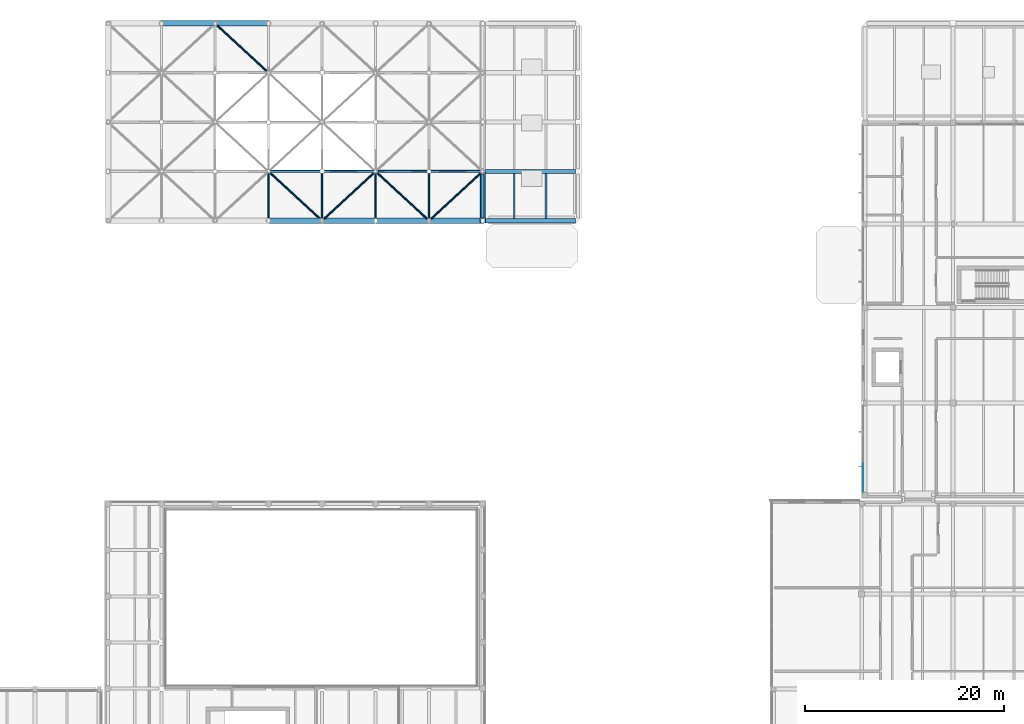
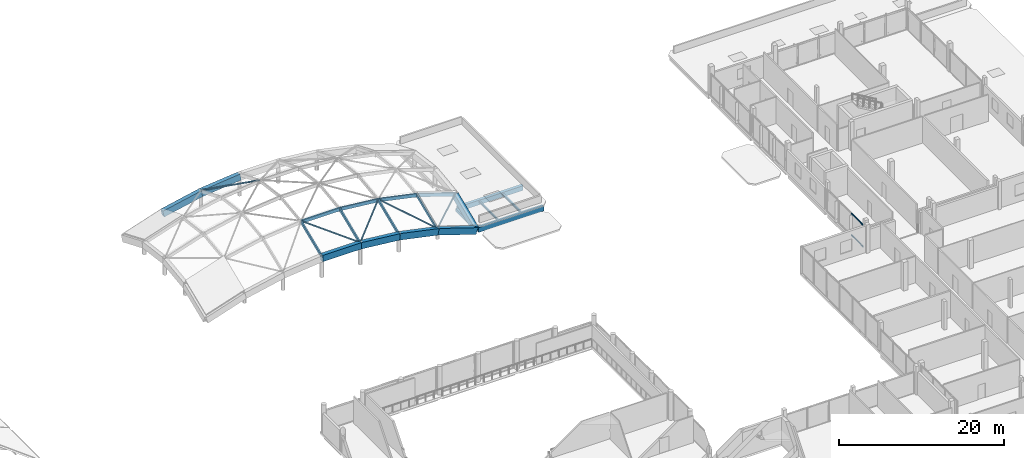
# One storey, part 20 of 66: 15 members, 12 beams, 1 element without a shape of its own.
"""IFC4 building model written with IfcOpenShell, lengths in metres."""

from ifc_helpers import new_model, si_unit, direction, frame, origin, origin_2d, place, context, subcontext, project, spatial, rectangle, hollow_circle, i_section, extrude, material, layer, layer_set, material_profile, profile_set, type_object, element, aggregate, save


model = new_model("IFC4")

# Units and contexts
model_context = context("Model", 3, precision=1e-05, world=origin(), true_north=direction((0.0, 1.0)))
body_context = subcontext(model_context, "Body", "Model", "MODEL_VIEW")
ifc_project = project(units=[si_unit("LENGTHUNIT", "METRE"), si_unit("AREAUNIT", "SQUARE_METRE"), si_unit("VOLUMEUNIT", "CUBIC_METRE"), si_unit("PLANEANGLEUNIT", "RADIAN"), si_unit("MASSUNIT", "GRAM", prefix="KILO")], contexts=[model_context])

# Site, building, storey
site_placement = place(None, origin())
site = spatial("IfcSite", under=ifc_project, at=site_placement, CompositionType="ELEMENT")
building_placement = place(site_placement, origin())
building = spatial("IfcBuilding", under=site, at=building_placement, Name="Birchvale Park Specialist Clinic", CompositionType="ELEMENT")
storey_placement = place(building_placement, frame((0.0, 0.0, 5.39990234375)))
storey = spatial("IfcBuildingStorey", under=building, at=storey_placement, Name="L01", CompositionType="ELEMENT", Elevation=5.39990234375)

# Beams
ifc_material_1 = material(Name="Concrete C40/50", Category="concrete")
ifc_material_profile_1 = material_profile(ifc_material_1, rectangle(XDim=0.419921875, YDim=0.719970703125, at=origin_2d()), Name="RCB-420x720")
ifc_profile_set_1 = profile_set([ifc_material_profile_1], Name="Concrete C40/50")
beam_type_1 = type_object("IfcBeamType", Name="BM-EXT-BG3", PredefinedType="BEAM", material=ifc_profile_set_1)
beam_1_placement = place(storey_placement, frame((90.110107421875, 91.550048828125, -0.635009765625), z_axis=(1.0, 0.0, 0.0), x_axis=(0.0, 1.0, 0.0)))
element("IfcBeam", 1, at=beam_1_placement, inside=storey, type_object=beam_type_1, Name="V3 L01 X girder 1", PredefinedType="BEAM", context=body_context, shape_type="SweptSolid", body=[
    extrude(rectangle(XDim=0.419921875, YDim=0.719970703125, at=origin_2d()), origin(), (0.0, 0.0, 1.0), 9.079833984375),
])
ifc_material_profile_2 = material_profile(ifc_material_1, rectangle(XDim=0.280029296875, YDim=0.43994140625, at=origin_2d()), Name="RCB-280x440")
ifc_profile_set_2 = profile_set([ifc_material_profile_2], Name="Concrete C40/50")
beam_type_2 = type_object("IfcBeamType", Name="BM-EXT-BG9", PredefinedType="BEAM", material=ifc_profile_set_2)
beam_2_placement = place(storey_placement, frame((89.85009765625, 91.81005859375, -0.494873046875), z_axis=(0.0, 1.0, 0.0), x_axis=(-1.0, 0.0, 0.0)))
element("IfcBeam", 2, at=beam_2_placement, inside=storey, type_object=beam_type_2, Name="V3 L01 Y girder 6", PredefinedType="BEAM", context=body_context, shape_type="SweptSolid", body=[
    extrude(rectangle(XDim=0.280029296875, YDim=0.43994140625, at=origin_2d()), origin(), (0.0, 0.0, 1.0), 4.427490234375),
])
ifc_material_profile_3 = material_profile(ifc_material_1, rectangle(XDim=0.550048828125, YDim=0.93994140625, at=origin_2d()), Name="RCB-550x940")
ifc_profile_set_3 = profile_set([ifc_material_profile_3], Name="Concrete C40/50")
beam_type_3 = type_object("IfcBeamType", Name="BM-EXT-RB1", PredefinedType="BEAM", material=ifc_profile_set_3)
beam_3_placement = place(storey_placement, frame((68.30712890625, 91.550048828125, 2.817138671875), z_axis=(1.0, 0.0, 0.0), x_axis=(0.0, 1.0, 0.0)))
element("IfcBeam", 3, at=beam_3_placement, inside=storey, type_object=beam_type_3, Name="V3 gridshell perimeter ring beam 4", PredefinedType="BEAM", context=body_context, shape_type="SweptSolid", body=[
    extrude(rectangle(XDim=0.550048828125, YDim=0.93994140625, at=origin_2d()), origin(), (0.0, 0.0, 1.0), 5.3857421875),
])
beam_4_placement = place(storey_placement, frame((73.69287109375, 91.550048828125, 2.817138671875), z_axis=(0.994608725176, 0.0, -0.103699005798), x_axis=(0.0, 1.0, 0.0)))
element("IfcBeam", 4, at=beam_4_placement, inside=storey, type_object=beam_type_3, Name="V3 gridshell perimeter ring beam 5", PredefinedType="BEAM", context=body_context, shape_type="SweptSolid", body=[
    extrude(rectangle(XDim=0.550048828125, YDim=0.93994140625, at=origin_2d()), origin(), (0.0, 0.0, 1.0), 5.4150390625),
])
beam_5_placement = place(storey_placement, frame((79.07861328125, 91.550048828125, 2.255615234375), z_axis=(0.978246670793, 0.0, -0.207445055574), x_axis=(0.0, 1.0, 0.0)))
element("IfcBeam", 5, at=beam_5_placement, inside=storey, type_object=beam_type_3, Name="V3 gridshell perimeter ring beam 6", PredefinedType="BEAM", context=body_context, shape_type="SweptSolid", body=[
    extrude(rectangle(XDim=0.550048828125, YDim=0.93994140625, at=origin_2d()), origin(), (0.0, 0.0, 1.0), 5.505615234375),
])
beam_6_placement = place(storey_placement, frame((84.46435546875, 91.550048828125, 1.113525390625), z_axis=(0.950354284012, 0.0, -0.311169945304), x_axis=(0.0, 1.0, 0.0)))
element("IfcBeam", 6, at=beam_6_placement, inside=storey, type_object=beam_type_3, Name="V3 gridshell perimeter ring beam 7", PredefinedType="BEAM", context=body_context, shape_type="SweptSolid", body=[
    extrude(rectangle(XDim=0.550048828125, YDim=0.93994140625, at=origin_2d()), origin(), (0.0, 0.0, 1.0), 5.6669921875),
])
beam_7_placement = place(storey_placement, frame((57.53564453125, 111.39990234375, 1.113525390625), z_axis=(0.978246670793, 0.0, 0.207445055574), x_axis=(0.0, 1.0, 0.0)))
element("IfcBeam", 7, at=beam_7_placement, inside=storey, type_object=beam_type_3, Name="V3 gridshell perimeter ring beam 9", PredefinedType="BEAM", context=body_context, shape_type="SweptSolid", body=[
    extrude(rectangle(XDim=0.550048828125, YDim=0.93994140625, at=origin_2d()), origin(), (0.0, 0.0, 1.0), 5.505615234375),
])
beam_8_placement = place(storey_placement, frame((62.92138671875, 111.39990234375, 2.255615234375), z_axis=(0.994608725176, 0.0, 0.103699005798), x_axis=(0.0, 1.0, 0.0)))
element("IfcBeam", 8, at=beam_8_placement, inside=storey, type_object=beam_type_3, Name="V3 gridshell perimeter ring beam 10", PredefinedType="BEAM", context=body_context, shape_type="SweptSolid", body=[
    extrude(rectangle(XDim=0.550048828125, YDim=0.93994140625, at=origin_2d()), origin(), (0.0, 0.0, 1.0), 5.4150390625),
])
beam_9_placement = place(storey_placement, frame((89.85009765625, 91.550048828125, -0.64990234375), z_axis=(0.0, 0.922821506922, 0.385227810993), x_axis=(-1.0, 0.0, 0.0)))
element("IfcBeam", 9, at=beam_9_placement, inside=storey, type_object=beam_type_3, Name="V3 gridshell perimeter ring beam 19", PredefinedType="BEAM", context=body_context, shape_type="SweptSolid", body=[
    extrude(rectangle(XDim=0.550048828125, YDim=0.93994140625, at=origin_2d()), origin(), (0.0, 0.0, 1.0), 5.37744140625),
])
ifc_material_profile_4 = material_profile(ifc_material_1, rectangle(XDim=0.419921875, YDim=0.679931640625, at=origin_2d()), Name="RCB-420x680")
ifc_profile_set_4 = profile_set([ifc_material_profile_4], Name="Concrete C40/50")
beam_type_4 = type_object("IfcBeamType", Name="BM-INT-BG3", PredefinedType="BEAM", material=ifc_profile_set_4)
beam_10_placement = place(storey_placement, frame((90.125, 96.512451171875, -0.614990234375), z_axis=(1.0, 0.0, 0.0), x_axis=(0.0, 1.0, 0.0)))
element("IfcBeam", 10, at=beam_10_placement, inside=storey, type_object=beam_type_4, Name="V3 L01 X girder 2", PredefinedType="BEAM", context=body_context, shape_type="SweptSolid", body=[
    extrude(rectangle(XDim=0.419921875, YDim=0.679931640625, at=origin_2d()), origin(), (0.0, 0.0, 1.0), 9.06494140625),
])

# Curtain wall, members
ifc_material_2 = material(Name="Thermally broken anodised aluminium", Category="aluminium")
ifc_layer = layer(ifc_material_2, 0.2099609375)
ifc_layer_set = layer_set([ifc_layer], Name="Thermally broken anodised aluminium")
curtain_wall_type = type_object("IfcCurtainWallType", Name="CW-U3", PredefinedType="USERDEFINED", material=ifc_layer_set)
curtain_wall_placement = place(storey_placement, origin())
curtain_wall = element("IfcCurtainWall", 11, at=curtain_wall_placement, inside=storey, type_object=curtain_wall_type, Name="V6 L01 glazed curtain wall 102", ObjectType="UNITISED", PredefinedType="USERDEFINED")
ifc_material_profile_5 = material_profile(ifc_material_2, rectangle(XDim=0.070068359375, YDim=0.14990234375, at=origin_2d()), Name="CWT-70x150")
ifc_profile_set_5 = profile_set([ifc_material_profile_5], Name="Thermally broken anodised aluminium")
member_type_1 = type_object("IfcMemberType", Name="CWT3", PredefinedType="USERDEFINED", material=ifc_profile_set_5)
member_1_placement = place(storey_placement, frame((128.14501953125, 67.07177734375, 0.03515625), z_axis=(0.0, -1.0, 0.0), x_axis=(1.0, 0.0, 0.0)))
member_1 = element("IfcMember", 12, at=member_1_placement, type_object=member_type_1, Name="CW transom 3.1", ObjectType="TRANSOM", PredefinedType="USERDEFINED", context=body_context, shape_type="SweptSolid", body=[
    extrude(rectangle(XDim=0.070068359375, YDim=0.14990234375, at=origin_2d()), origin(), (0.0, 0.0, 1.0), 2.811767578125),
])
member_2_placement = place(storey_placement, frame((128.14501953125, 67.07177734375, 3.210205078125), z_axis=(0.0, -1.0, 0.0), x_axis=(1.0, 0.0, 0.0)))
member_2 = element("IfcMember", 13, at=member_2_placement, type_object=member_type_1, Name="CW transom 3.2", ObjectType="TRANSOM", PredefinedType="USERDEFINED", context=body_context, shape_type="SweptSolid", body=[
    extrude(rectangle(XDim=0.070068359375, YDim=0.14990234375, at=origin_2d()), origin(), (0.0, 0.0, 1.0), 2.811767578125),
])
aggregate(curtain_wall, [member_1, member_2])

# Members
ifc_material_3 = material(Name="Steel EN 10210 S355", Category="steel")
ifc_material_profile_6 = material_profile(ifc_material_3, hollow_circle(Radius=0.109619140625, WallThickness=0.010009765625, at=origin_2d()), Name="CHS219.1X10")
ifc_profile_set_6 = profile_set([ifc_material_profile_6], Name="Steel EN 10210 S355")
member_type_2 = type_object("IfcMemberType", Name="MEM-BR2", PredefinedType="BRACE", material=ifc_profile_set_6)
member_3_placement = place(storey_placement, frame((68.27587890625, 106.46630859375, 5.203857421875), z_axis=(-0.692050702085, 0.637651486154, -0.338328845871), x_axis=(-0.677611637339, -0.735419926941, 0.0)))
element("IfcMember", 14, at=member_3_placement, inside=storey, type_object=member_type_2, Name="V3 gridshell tubular steel diagonal 12", PredefinedType="BRACE", context=body_context, shape_type="SweptSolid", body=[
    extrude(hollow_circle(Radius=0.109619140625, WallThickness=0.010009765625, at=origin_2d()), origin(), (0.0, 0.0, 1.0), 7.6923828125),
])
member_4_placement = place(storey_placement, frame((73.6611328125, 91.579345703125, 3.159912109375), z_axis=(-0.707665830783, 0.652026416381, 0.272159189233), x_axis=(-0.67760446633, -0.735426534203, 0.0)))
element("IfcMember", 15, at=member_4_placement, inside=storey, type_object=member_type_2, Name="V3 gridshell tubular steel diagonal 13", PredefinedType="BRACE", context=body_context, shape_type="SweptSolid", body=[
    extrude(hollow_circle(Radius=0.109619140625, WallThickness=0.010009765625, at=origin_2d()), origin(), (0.0, 0.0, 1.0), 7.52099609375),
])
member_5_placement = place(storey_placement, frame((73.725341796875, 91.579833984375, 3.15673828125), z_axis=(0.720252383903, 0.663673872329, 0.201924477638), x_axis=(-0.677632356717, 0.735400835688, 0.0)))
element("IfcMember", 16, at=member_5_placement, inside=storey, type_object=member_type_2, Name="V3 gridshell tubular steel diagonal 17", PredefinedType="BRACE", context=body_context, shape_type="SweptSolid", body=[
    extrude(hollow_circle(Radius=0.109619140625, WallThickness=0.010009765625, at=origin_2d()), origin(), (0.0, 0.0, 1.0), 7.387451171875),
])
member_6_placement = place(storey_placement, frame((84.43408203125, 91.577880859375, 1.462158203125), z_axis=(-0.673435360148, 0.620516406944, 0.401801200118), x_axis=(-0.677621670904, -0.735410681947, 0.0)))
element("IfcMember", 17, at=member_6_placement, inside=storey, type_object=member_type_2, Name="V3 gridshell tubular steel diagonal 21", PredefinedType="BRACE", context=body_context, shape_type="SweptSolid", body=[
    extrude(hollow_circle(Radius=0.109619140625, WallThickness=0.010009765625, at=origin_2d()), origin(), (0.0, 0.0, 1.0), 7.907470703125),
])
member_7_placement = place(storey_placement, frame((84.497314453125, 91.58056640625, 1.44580078125), z_axis=(0.734774775322, 0.677008508392, 0.042017961818), x_axis=(-0.677606933249, 0.735424261235, 0.0)))
element("IfcMember", 18, at=member_7_placement, inside=storey, type_object=member_type_2, Name="V3 gridshell tubular steel diagonal 25", PredefinedType="BRACE", context=body_context, shape_type="SweptSolid", body=[
    extrude(hollow_circle(Radius=0.109619140625, WallThickness=0.010009765625, at=origin_2d()), origin(), (0.0, 0.0, 1.0), 7.23974609375),
])
ifc_material_4 = material(Name="Glulam GL28h", Category="wood")
ifc_material_profile_7 = material_profile(ifc_material_4, rectangle(XDim=0.199951171875, YDim=0.47998046875, at=origin_2d()), Name="GL-200x480")
ifc_profile_set_7 = profile_set([ifc_material_profile_7], Name="Glulam GL28h")
member_type_3 = type_object("IfcMemberType", Name="MEM-GC3", PredefinedType="CHORD", material=ifc_profile_set_7)
member_8_placement = place(storey_placement, frame((68.30712890625, 96.512451171875, 5.093505859375), z_axis=(1.0, 0.0, 0.0), x_axis=(0.0, 1.0, 0.0)))
element("IfcMember", 19, at=member_8_placement, inside=storey, type_object=member_type_3, Name="V3 gridshell longitudinal glulam rib 4", PredefinedType="CHORD", context=body_context, shape_type="SweptSolid", body=[
    extrude(rectangle(XDim=0.199951171875, YDim=0.47998046875, at=origin_2d()), origin(), (0.0, 0.0, 1.0), 5.3857421875),
])
member_9_placement = place(storey_placement, frame((73.69287109375, 96.512451171875, 5.093505859375), z_axis=(0.994608725176, 0.0, -0.103699005798), x_axis=(0.0, 1.0, 0.0)))
element("IfcMember", 20, at=member_9_placement, inside=storey, type_object=member_type_3, Name="V3 gridshell longitudinal glulam rib 5", PredefinedType="CHORD", context=body_context, shape_type="SweptSolid", body=[
    extrude(rectangle(XDim=0.199951171875, YDim=0.47998046875, at=origin_2d()), origin(), (0.0, 0.0, 1.0), 5.4150390625),
])
member_10_placement = place(storey_placement, frame((79.07861328125, 96.512451171875, 4.531982421875), z_axis=(0.978246670793, 0.0, -0.207445055574), x_axis=(0.0, 1.0, 0.0)))
element("IfcMember", 21, at=member_10_placement, inside=storey, type_object=member_type_3, Name="V3 gridshell longitudinal glulam rib 6", PredefinedType="CHORD", context=body_context, shape_type="SweptSolid", body=[
    extrude(rectangle(XDim=0.199951171875, YDim=0.47998046875, at=origin_2d()), origin(), (0.0, 0.0, 1.0), 5.505615234375),
])
member_11_placement = place(storey_placement, frame((84.46435546875, 96.512451171875, 3.389892578125), z_axis=(0.950367023203, 0.0, -0.31113103543), x_axis=(0.0, 1.0, 0.0)))
element("IfcMember", 22, at=member_11_placement, inside=storey, type_object=member_type_3, Name="V3 gridshell longitudinal glulam rib 7", PredefinedType="CHORD", context=body_context, shape_type="SweptSolid", body=[
    extrude(rectangle(XDim=0.199951171875, YDim=0.47998046875, at=origin_2d()), origin(), (0.0, 0.0, 1.0), 5.6669921875),
])
ifc_material_profile_8 = material_profile(ifc_material_4, rectangle(XDim=0.179931640625, YDim=0.419921875, at=origin_2d()), Name="GL-180x420")
ifc_profile_set_8 = profile_set([ifc_material_profile_8], Name="Glulam GL28h")
member_type_4 = type_object("IfcMemberType", Name="MEM-GC4", PredefinedType="CHORD", material=ifc_profile_set_8)
for number, where, z_axis, x_axis, name in (
    (23, (68.30712890625, 91.550048828125, 3.022216796875), (0.0, 0.922837646305, 0.385189146475), (-1.0, 0.0, 0.0), "V3 gridshell transverse glulam rib 30"),
    (24, (73.69287109375, 91.550048828125, 3.022216796875), (0.0, 0.922837646305, 0.385189146475), (-1.0, 0.0, 0.0), "V3 gridshell transverse glulam rib 34"),
    (25, (79.07861328125, 91.550048828125, 2.460693359375), (0.0, 0.922837646305, 0.385189146475), (-1.0, 0.0, 0.0), "V3 gridshell transverse glulam rib 38"),
    (26, (84.46435546875, 91.550048828125, 1.318603515625), (0.0, 0.922837646305, 0.385189146475), (-1.0, 0.0, 0.0), "V3 gridshell transverse glulam rib 42"),
):
    element("IfcMember", number, at=place(storey_placement, frame(where, z_axis=z_axis, x_axis=x_axis)), inside=storey, type_object=member_type_4, Name=name, PredefinedType="CHORD", context=body_context, shape_type="SweptSolid", body=[
        extrude(rectangle(XDim=0.179931640625, YDim=0.419921875, at=origin_2d()), origin(), (0.0, 0.0, 1.0), 5.37744140625),
    ])

# Beams
ifc_material_5 = material(Name="Steel ASTM A992 Grade 50", Category="steel")
ifc_material_profile_9 = material_profile(ifc_material_5, i_section(OverallWidth=0.1669921875, OverallDepth=0.31689453125, WebThickness=0.007568359375, FlangeThickness=0.01318359375, at=origin_2d()), Name="W12X35")
ifc_profile_set_9 = profile_set([ifc_material_profile_9], Name="Steel ASTM A992 Grade 50")
beam_type_5 = type_object("IfcBeamType", Name="STL-INT-SJ3", PredefinedType="JOIST", material=ifc_profile_set_9)
beam_11_placement = place(storey_placement, frame((93.050048828125, 91.760009765625, -0.433349609375), z_axis=(0.0, 1.0, 0.0), x_axis=(-1.0, 0.0, 0.0)))
element("IfcBeam", 27, at=beam_11_placement, inside=storey, type_object=beam_type_5, Name="V3 L01 secondary floor joist 1", PredefinedType="JOIST", context=body_context, shape_type="SweptSolid", body=[
    extrude(i_section(OverallWidth=0.1669921875, OverallDepth=0.31689453125, WebThickness=0.007568359375, FlangeThickness=0.01318359375, at=origin_2d()), origin(), (0.0, 0.0, 1.0), 4.54248046875),
])
ifc_material_profile_10 = material_profile(ifc_material_5, i_section(OverallWidth=0.202880859375, OverallDepth=0.251953125, WebThickness=0.008056640625, FlangeThickness=0.013427734375, at=origin_2d()), Name="W10X39")
ifc_profile_set_10 = profile_set([ifc_material_profile_10], Name="Steel ASTM A992 Grade 50")
beam_type_6 = type_object("IfcBeamType", Name="STL-INT-SJ4", PredefinedType="JOIST", material=ifc_profile_set_10)
beam_12_placement = place(storey_placement, frame((96.25, 91.760009765625, -0.40087890625), z_axis=(0.0, 1.0, 0.0), x_axis=(-1.0, 0.0, 0.0)))
element("IfcBeam", 28, at=beam_12_placement, inside=storey, type_object=beam_type_6, Name="V3 L01 secondary floor joist 2", PredefinedType="JOIST", context=body_context, shape_type="SweptSolid", body=[
    extrude(i_section(OverallWidth=0.202880859375, OverallDepth=0.251953125, WebThickness=0.008056640625, FlangeThickness=0.013427734375, at=origin_2d()), origin(), (0.0, 0.0, 1.0), 4.54248046875),
])

save(model, "model.ifc")
